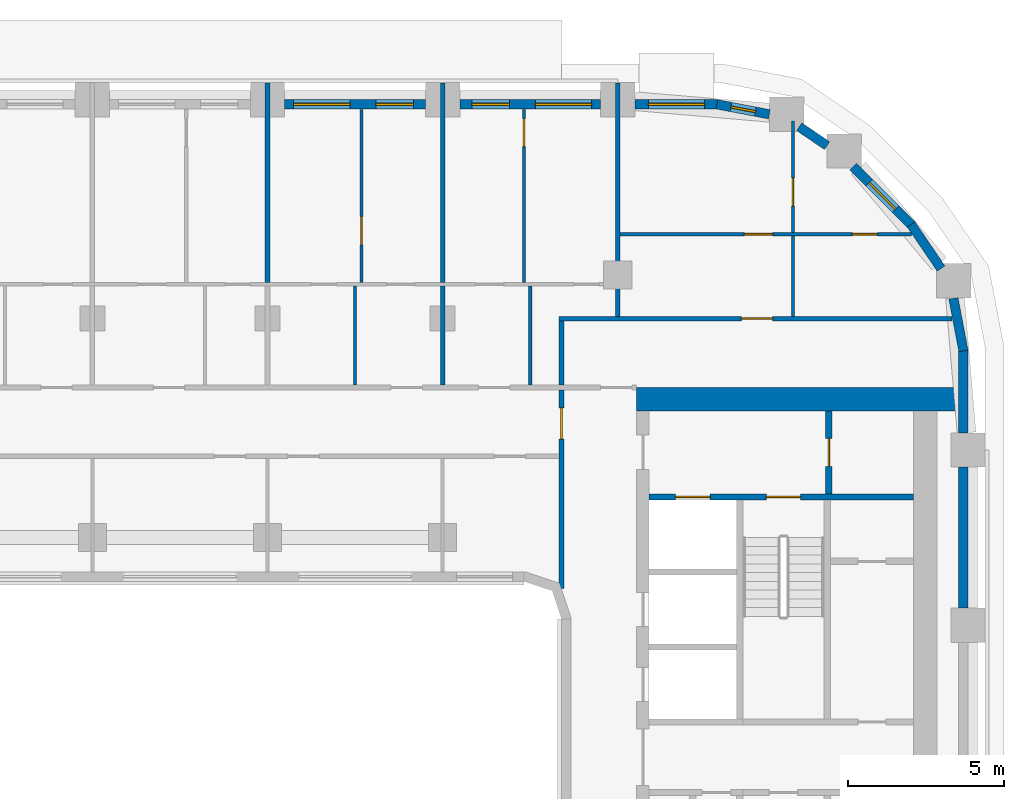
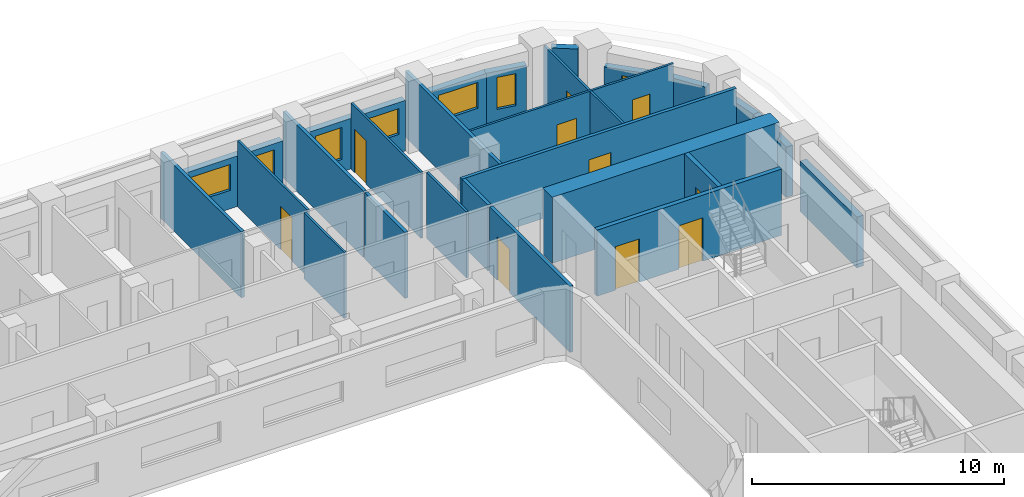
# One storey, part 9 of 22: 27 walls, 10 doors, 7 windows, 17 openings.
"""IFC4 building model written with IfcOpenShell, lengths in metres."""

from ifc_helpers import new_model, si_unit, direction, frame, frame_2d, origin, place, context, subcontext, project, spatial, rectangle, extrude, material, layer, layer_set, type_object, element, fill, save


model = new_model("IFC4")

# Units and contexts
model_context = context("Model", 3, precision=1e-05, world=origin(), true_north=direction((0.0, 1.0)))
body_context = subcontext(model_context, "Body", "Model", "MODEL_VIEW")
ifc_project = project(units=[si_unit("LENGTHUNIT", "METRE"), si_unit("AREAUNIT", "SQUARE_METRE"), si_unit("VOLUMEUNIT", "CUBIC_METRE"), si_unit("PLANEANGLEUNIT", "RADIAN"), si_unit("MASSUNIT", "GRAM", prefix="KILO")], contexts=[model_context])

# Site, building, storey
site_placement = place(None, origin())
site = spatial("IfcSite", under=ifc_project, at=site_placement, CompositionType="ELEMENT")
building_placement = place(site_placement, origin())
building = spatial("IfcBuilding", under=site, at=building_placement, Name="Kiln Ring Residences", CompositionType="ELEMENT")
storey_placement = place(building_placement, frame((0.0, 0.0, 143.10009765625)))
storey = spatial("IfcBuildingStorey", under=building, at=storey_placement, Name="L36", CompositionType="ELEMENT", Elevation=143.10009765625)

# Wall, opening, door
ifc_material_1 = material(Name="Gypsum board on steel studs", Category="steel")
ifc_layer_1 = layer(ifc_material_1, 0.199951171875)
ifc_layer_set_1 = layer_set([ifc_layer_1], Name="CORE-PARTITION-200")
wall_type_1 = type_object("IfcWallType", Name="CORE-PARTITION-200", PredefinedType="PARTITIONING", material=ifc_layer_set_1)
wall_1_placement = place(storey_placement, frame((23.550048828125, 9.800048828125, 0.0), z_axis=(0.0, 0.0, 1.0), x_axis=(0.0, 1.0, 0.0)))
wall_1 = element("IfcWall", 1, at=wall_1_placement, inside=storey, type_object=wall_type_1, Name="Core partition east L36 4", PredefinedType="PARTITIONING", context=body_context, shape_type="SweptSolid", body=[
    extrude(rectangle(XDim=2.64990234375, YDim=0.199951171875, at=frame_2d((1.324951171875, 0.0))), origin(), (0.0, 0.0, 1.0), 3.199951171875),
])
opening_1_placement = place(wall_1_placement, frame((0.875, 0.0, 0.0)))
opening_1 = element("IfcOpeningElement", 2, at=opening_1_placement, cuts=wall_1, Name="Opening L36-CE09", PredefinedType="OPENING", context=body_context, shape_type="SweptSolid", body=[
    extrude(rectangle(XDim=0.89990234375, YDim=2.10009765625, at=frame_2d((0.449951171875, 1.050048828125))), frame((0.0, 0.10986328125, 0.0), z_axis=(0.0, -1.0, 0.0), x_axis=(1.0, 0.0, 0.0)), (0.0, 0.0, 1.0), 0.219970703125),
])
ifc_material_2 = material(Name="Steel door leaf", Category="steel")
door_type_1 = type_object("IfcDoorType", Name="CORE-DOOR-ROOM", OperationType="SINGLE_SWING_LEFT", PredefinedType="DOOR", material=ifc_material_2)
door_1_placement = place(opening_1_placement, origin())
door_1 = element("IfcDoor", 3, at=door_1_placement, inside=storey, type_object=door_type_1, Name="Fire riser room L36-CE09", OperationType="SINGLE_SWING_RIGHT", OverallHeight=2.10009765625, OverallWidth=0.89990234375, PredefinedType="DOOR", context=body_context, shape_type="SweptSolid", body=[
    extrude(rectangle(XDim=0.89990234375, YDim=2.10009765625, at=frame_2d((0.449951171875, 1.050048828125))), frame((0.0, 0.02490234375, 0.0), z_axis=(0.0, -1.0, 0.0), x_axis=(1.0, 0.0, 0.0)), (0.0, 0.0, 1.0), 0.050048828125),
])
fill(opening_1, door_1)

# Wall, openings, doors
ifc_material_3 = material(Name="Concrete C40/50", Category="concrete")
ifc_layer_2 = layer(ifc_material_3, 0.199951171875)
ifc_layer_set_2 = layer_set([ifc_layer_2], Name="CORE-WALL-RC200")
wall_type_2 = type_object("IfcWallType", Name="CORE-WALL-RC200", PredefinedType="SHEAR", material=ifc_layer_set_2)
wall_2_placement = place(storey_placement, frame((17.800048828125, 9.699951171875, 0.0), z_axis=(0.0, 0.0, 1.0), x_axis=(1.0, 0.0, 0.0)))
wall_2 = element("IfcWall", 4, at=wall_2_placement, inside=storey, type_object=wall_type_2, Name="Core wall east L36 9", PredefinedType="SHEAR", context=body_context, shape_type="SweptSolid", body=[
    extrude(rectangle(XDim=8.449951171875, YDim=0.199951171875, at=frame_2d((4.22509765625, 0.0))), origin(), (0.0, 0.0, 1.0), 3.199951171875),
])
opening_2_placement = place(wall_2_placement, frame((0.85009765625, 0.0, 0.0)))
opening_2 = element("IfcOpeningElement", 5, at=opening_2_placement, cuts=wall_2, Name="Opening L36-CE06", PredefinedType="OPENING", context=body_context, shape_type="SweptSolid", body=[
    extrude(rectangle(XDim=1.10009765625, YDim=2.10009765625, at=frame_2d((0.550048828125, 1.050048828125))), frame((0.0, 0.10986328125, 0.0), z_axis=(0.0, -1.0, 0.0), x_axis=(1.0, 0.0, 0.0)), (0.0, 0.0, 1.0), 0.219970703125),
])
opening_3_placement = place(wall_2_placement, frame((3.75, 0.0, 0.0)))
opening_3 = element("IfcOpeningElement", 6, at=opening_3_placement, cuts=wall_2, Name="Opening L36-CE11", PredefinedType="OPENING", context=body_context, shape_type="SweptSolid", body=[
    extrude(rectangle(XDim=1.10009765625, YDim=2.10009765625, at=frame_2d((0.550048828125, 1.050048828125))), frame((0.0, 0.10986328125, 0.0), z_axis=(0.0, -1.0, 0.0), x_axis=(1.0, 0.0, 0.0)), (0.0, 0.0, 1.0), 0.219970703125),
])
ifc_material_4 = material(Name="Steel door leaf", Category="steel")
door_type_2 = type_object("IfcDoorType", Name="CORE-DOOR-LD", OperationType="DOUBLE_DOOR_SLIDING", PredefinedType="DOOR", material=ifc_material_4)
door_2_placement = place(opening_2_placement, origin())
door_2 = element("IfcDoor", 7, at=door_2_placement, inside=storey, type_object=door_type_2, Name="LD E-FF L36-CE06", OperationType="DOUBLE_DOOR_SLIDING", OverallHeight=2.10009765625, OverallWidth=1.10009765625, PredefinedType="DOOR", context=body_context, shape_type="SweptSolid", body=[
    extrude(rectangle(XDim=1.10009765625, YDim=2.10009765625, at=frame_2d((0.550048828125, 1.050048828125))), frame((0.0, 0.02490234375, 0.0), z_axis=(0.0, -1.0, 0.0), x_axis=(1.0, 0.0, 0.0)), (0.0, 0.0, 1.0), 0.050048828125),
])
fill(opening_2, door_2)
ifc_material_5 = material(Name="Steel door leaf", Category="steel")
door_type_3 = type_object("IfcDoorType", Name="CORE-DOOR-STAIR", OperationType="SINGLE_SWING_LEFT", PredefinedType="DOOR", material=ifc_material_5)
door_3_placement = place(opening_3_placement, origin())
door_3 = element("IfcDoor", 8, at=door_3_placement, inside=storey, type_object=door_type_3, Name="Stair E-STN L36-CE11", OperationType="SINGLE_SWING_RIGHT", OverallHeight=2.10009765625, OverallWidth=1.10009765625, PredefinedType="DOOR", context=body_context, shape_type="SweptSolid", body=[
    extrude(rectangle(XDim=1.10009765625, YDim=2.10009765625, at=frame_2d((0.550048828125, 1.050048828125))), frame((0.0, 0.02490234375, 0.0), z_axis=(0.0, -1.0, 0.0), x_axis=(1.0, 0.0, 0.0)), (0.0, 0.0, 1.0), 0.050048828125),
])
fill(opening_3, door_3)

# Walls
ifc_material_6 = material(Name="Concrete C60/75", Category="concrete")
ifc_layer_3 = layer(ifc_material_6, 0.75)
ifc_layer_set_3 = layer_set([ifc_layer_3], Name="CORE-WALL-RC750")
wall_type_3 = type_object("IfcWallType", Name="CORE-WALL-RC750", PredefinedType="SHEAR", material=ifc_layer_set_3)
wall_3_placement = place(storey_placement, frame((17.39990234375, 12.824951171875, 0.0), z_axis=(0.0, 0.0, 1.0), x_axis=(1.0, 0.0, 0.0)))
element("IfcWall", 9, at=wall_3_placement, inside=storey, type_object=wall_type_3, Name="Core wall east L36 4", PredefinedType="SHEAR", context=body_context, shape_type="SweptSolid", body=[
    extrude(rectangle(XDim=10.400146484375, YDim=0.75, at=frame_2d((5.2001953125, 0.0))), origin(), (0.0, 0.0, 1.0), 3.199951171875),
])
ifc_material_7 = material(Name="Brick masonry, dark clay brick", Category="masonry")
ifc_layer_4 = layer(ifc_material_7, 0.300048828125)
ifc_layer_set_4 = layer_set([ifc_layer_4], Name="EW-300 BRICK WALL")
wall_type_4 = type_object("IfcWallType", Name="EW-300 BRICK WALL", PredefinedType="SOLIDWALL", material=ifc_layer_set_4)
wall_4_placement = place(storey_placement, frame((27.85009765625, 6.14990234375, 0.0), z_axis=(0.0, 0.0, 1.0), x_axis=(0.0, 1.0, 0.0)))
element("IfcWall", 10, at=wall_4_placement, inside=storey, type_object=wall_type_4, Name="Facade wall L36 21", PredefinedType="SOLIDWALL", context=body_context, shape_type="SweptSolid", body=[
    extrude(rectangle(XDim=4.5, YDim=0.300048828125, at=frame_2d((2.25, 0.0))), origin(), (0.0, 0.0, 1.0), 2.449951171875),
])
wall_5_placement = place(storey_placement, frame((27.85009765625, 11.75, 0.0), z_axis=(0.0, 0.0, 1.0), x_axis=(0.0, 1.0, 0.0)))
element("IfcWall", 11, at=wall_5_placement, inside=storey, type_object=wall_type_4, Name="Facade wall L36 22", PredefinedType="SOLIDWALL", context=body_context, shape_type="SweptSolid", body=[
    extrude(rectangle(XDim=2.64990234375, YDim=0.300048828125, at=frame_2d((1.324951171875, 0.0))), origin(), (0.0, 0.0, 1.0), 2.449951171875),
])
wall_6_placement = place(storey_placement, frame((27.8525390625, 14.371826171875, 0.0), z_axis=(0.0, 0.0, 1.0), x_axis=(-0.187302784601, 0.982302227871, 0.0)))
element("IfcWall", 12, at=wall_6_placement, inside=storey, type_object=wall_type_4, Name="Facade wall L36 23", PredefinedType="SOLIDWALL", context=body_context, shape_type="SweptSolid", body=[
    extrude(rectangle(XDim=1.706298828125, YDim=0.300048828125, at=frame_2d((0.85302734375, 0.0))), origin(), (0.0, 0.0, 1.0), 2.449951171875),
])
wall_7_placement = place(storey_placement, frame((27.137939453125, 17.001708984375, 0.0), z_axis=(0.0, 0.0, 1.0), x_axis=(-0.562075160946, 0.827086158419, 0.0)))
element("IfcWall", 13, at=wall_7_placement, inside=storey, type_object=wall_type_4, Name="Facade wall L36 24", PredefinedType="SOLIDWALL", context=body_context, shape_type="SweptSolid", body=[
    extrude(rectangle(XDim=1.7060546875, YDim=0.300048828125, at=frame_2d((0.85302734375, 0.0))), origin(), (0.0, 0.0, 1.0), 2.449951171875),
])

# Wall, opening, window
wall_8_placement = place(storey_placement, frame((26.19677734375, 18.390869140625, 0.0), z_axis=(0.0, 0.0, 1.0), x_axis=(-0.707060717099, 0.707152842274, 0.0)))
wall_8 = element("IfcWall", 14, at=wall_8_placement, inside=storey, type_object=wall_type_4, Name="Facade wall L36 25", PredefinedType="SOLIDWALL", context=body_context, shape_type="SweptSolid", body=[
    extrude(rectangle(XDim=2.650146484375, YDim=0.300048828125, at=frame_2d((1.3251953125, 0.0))), origin(), (0.0, 0.0, 1.0), 2.449951171875),
])
opening_4_placement = place(wall_8_placement, frame((0.72509765625, 0.0, 0.60009765625)))
opening_4 = element("IfcOpeningElement", 15, at=opening_4_placement, cuts=wall_8, Name="Opening W1", PredefinedType="OPENING", context=body_context, shape_type="SweptSolid", body=[
    extrude(rectangle(XDim=1.199951171875, YDim=1.550048828125, at=frame_2d((0.60009765625, 0.77490234375))), frame((0.0, 0.159912109375, 0.0), z_axis=(0.0, -1.0, 0.0), x_axis=(1.0, 0.0, 0.0)), (0.0, 0.0, 1.0), 0.320068359375),
])
ifc_material_8 = material(Name="Aluminium frame with double glazing", Category="aluminium")
window_type_1 = type_object("IfcWindowType", Name="WINDOW 1200 x 1550", PartitioningType="SINGLE_PANEL", PredefinedType="WINDOW", material=ifc_material_8)
window_1_placement = place(opening_4_placement, origin())
window_1 = element("IfcWindow", 16, at=window_1_placement, inside=storey, type_object=window_type_1, Name="Window L36 16", OverallHeight=1.550048828125, OverallWidth=1.199951171875, PartitioningType="SINGLE_PANEL", PredefinedType="WINDOW", context=body_context, shape_type="SweptSolid", body=[
    extrude(rectangle(XDim=1.199951171875, YDim=1.550048828125, at=frame_2d((0.60009765625, 0.77490234375))), frame((0.0, 0.030029296875, 0.0), z_axis=(0.0, -1.0, 0.0), x_axis=(1.0, 0.0, 0.0)), (0.0, 0.0, 1.0), 0.06005859375),
])
fill(opening_4, window_1)

# Wall
wall_9_placement = place(storey_placement, frame((23.492431640625, 20.932373046875, 0.0), z_axis=(0.0, 0.0, 1.0), x_axis=(-0.826993959827, 0.562210806023, 0.0)))
element("IfcWall", 17, at=wall_9_placement, inside=storey, type_object=wall_type_4, Name="Facade wall L36 26", PredefinedType="SOLIDWALL", context=body_context, shape_type="SweptSolid", body=[
    extrude(rectangle(XDim=1.076904296875, YDim=0.300048828125, at=frame_2d((0.53857421875, 0.0))), origin(), (0.0, 0.0, 1.0), 3.199951171875),
])

# Wall, opening, window
wall_10_placement = place(storey_placement, frame((21.647705078125, 21.93310546875, 0.0), z_axis=(0.0, 0.0, 1.0), x_axis=(-0.982297206936, 0.187329114784, 0.0)))
wall_10 = element("IfcWall", 18, at=wall_10_placement, inside=storey, type_object=wall_type_4, Name="Facade wall L36 27", PredefinedType="SOLIDWALL", context=body_context, shape_type="SweptSolid", body=[
    extrude(rectangle(XDim=1.7060546875, YDim=0.300048828125, at=frame_2d((0.85302734375, 0.0))), origin(), (0.0, 0.0, 1.0), 2.449951171875),
])
opening_5_placement = place(wall_10_placement, frame((0.453125, 0.0, 0.60009765625)))
opening_5 = element("IfcOpeningElement", 19, at=opening_5_placement, cuts=wall_10, Name="Opening W5", PredefinedType="OPENING", context=body_context, shape_type="SweptSolid", body=[
    extrude(rectangle(XDim=0.800048828125, YDim=1.550048828125, at=frame_2d((0.39990234375, 0.77490234375))), frame((0.0, 0.159912109375, 0.0), z_axis=(0.0, -1.0, 0.0), x_axis=(1.0, 0.0, 0.0)), (0.0, 0.0, 1.0), 0.320068359375),
])
ifc_material_9 = material(Name="Aluminium frame with double glazing", Category="aluminium")
window_type_2 = type_object("IfcWindowType", Name="WINDOW 800 x 1550", PartitioningType="SINGLE_PANEL", PredefinedType="WINDOW", material=ifc_material_9)
window_2_placement = place(opening_5_placement, origin())
window_2 = element("IfcWindow", 20, at=window_2_placement, inside=storey, type_object=window_type_2, Name="Window L36 17", OverallHeight=1.550048828125, OverallWidth=0.800048828125, PartitioningType="SINGLE_PANEL", PredefinedType="WINDOW", context=body_context, shape_type="SweptSolid", body=[
    extrude(rectangle(XDim=0.800048828125, YDim=1.550048828125, at=frame_2d((0.39990234375, 0.77490234375))), frame((0.0, 0.030029296875, 0.0), z_axis=(0.0, -1.0, 0.0), x_axis=(1.0, 0.0, 0.0)), (0.0, 0.0, 1.0), 0.06005859375),
])
fill(opening_5, window_2)

wall_11_placement = place(storey_placement, frame((20.0, 22.25, 0.0), z_axis=(0.0, 0.0, 1.0), x_axis=(-1.0, 0.0, 0.0)))
wall_11 = element("IfcWall", 21, at=wall_11_placement, inside=storey, type_object=wall_type_4, Name="Facade wall L36 28", PredefinedType="SOLIDWALL", context=body_context, shape_type="SweptSolid", body=[
    extrude(rectangle(XDim=2.64990234375, YDim=0.300048828125, at=frame_2d((1.324951171875, 0.0))), origin(), (0.0, 0.0, 1.0), 2.449951171875),
])
opening_6_placement = place(wall_11_placement, frame((0.425048828125, 0.0, 0.89990234375)))
opening_6 = element("IfcOpeningElement", 22, at=opening_6_placement, cuts=wall_11, Name="Opening W2", PredefinedType="OPENING", context=body_context, shape_type="SweptSolid", body=[
    extrude(rectangle(XDim=1.800048828125, YDim=1.25, at=frame_2d((0.89990234375, 0.625))), frame((0.0, 0.159912109375, 0.0), z_axis=(0.0, -1.0, 0.0), x_axis=(1.0, 0.0, 0.0)), (0.0, 0.0, 1.0), 0.320068359375),
])
ifc_material_10 = material(Name="Aluminium frame with double glazing", Category="aluminium")
window_type_3 = type_object("IfcWindowType", Name="WINDOW 1800 x 1250", PartitioningType="SINGLE_PANEL", PredefinedType="WINDOW", material=ifc_material_10)
window_3_placement = place(opening_6_placement, origin())
window_3 = element("IfcWindow", 23, at=window_3_placement, inside=storey, type_object=window_type_3, Name="Window L36 18", OverallHeight=1.25, OverallWidth=1.800048828125, PartitioningType="SINGLE_PANEL", PredefinedType="WINDOW", context=body_context, shape_type="SweptSolid", body=[
    extrude(rectangle(XDim=1.800048828125, YDim=1.25, at=frame_2d((0.89990234375, 0.625))), frame((0.0, 0.030029296875, 0.0), z_axis=(0.0, -1.0, 0.0), x_axis=(1.0, 0.0, 0.0)), (0.0, 0.0, 1.0), 0.06005859375),
])
fill(opening_6, window_3)

# Wall, openings, windows
wall_12_placement = place(storey_placement, frame((16.25, 22.25, 0.0), z_axis=(0.0, 0.0, 1.0), x_axis=(-1.0, 0.0, 0.0)))
wall_12 = element("IfcWall", 24, at=wall_12_placement, inside=storey, type_object=wall_type_4, Name="Facade wall L36 29", PredefinedType="SOLIDWALL", context=body_context, shape_type="SweptSolid", body=[
    extrude(rectangle(XDim=4.5, YDim=0.300048828125, at=frame_2d((2.25, 0.0))), origin(), (0.0, 0.0, 1.0), 2.449951171875),
])
opening_7_placement = place(wall_12_placement, frame((0.28759765625, 0.0, 0.89990234375)))
opening_7 = element("IfcOpeningElement", 25, at=opening_7_placement, cuts=wall_12, Name="Opening W2", PredefinedType="OPENING", context=body_context, shape_type="SweptSolid", body=[
    extrude(rectangle(XDim=1.800048828125, YDim=1.25, at=frame_2d((0.89990234375, 0.625))), frame((0.0, 0.159912109375, 0.0), z_axis=(0.0, -1.0, 0.0), x_axis=(1.0, 0.0, 0.0)), (0.0, 0.0, 1.0), 0.320068359375),
])
opening_8_placement = place(wall_12_placement, frame((2.91259765625, 0.0, 0.60009765625)))
opening_8 = element("IfcOpeningElement", 26, at=opening_8_placement, cuts=wall_12, Name="Opening W1", PredefinedType="OPENING", context=body_context, shape_type="SweptSolid", body=[
    extrude(rectangle(XDim=1.199951171875, YDim=1.550048828125, at=frame_2d((0.60009765625, 0.77490234375))), frame((0.0, 0.159912109375, 0.0), z_axis=(0.0, -1.0, 0.0), x_axis=(1.0, 0.0, 0.0)), (0.0, 0.0, 1.0), 0.320068359375),
])
window_4_placement = place(opening_8_placement, origin())
window_4 = element("IfcWindow", 27, at=window_4_placement, inside=storey, type_object=window_type_1, Name="Window L36 20", OverallHeight=1.550048828125, OverallWidth=1.199951171875, PartitioningType="SINGLE_PANEL", PredefinedType="WINDOW", context=body_context, shape_type="SweptSolid", body=[
    extrude(rectangle(XDim=1.199951171875, YDim=1.550048828125, at=frame_2d((0.60009765625, 0.77490234375))), frame((0.0, 0.030029296875, 0.0), z_axis=(0.0, -1.0, 0.0), x_axis=(1.0, 0.0, 0.0)), (0.0, 0.0, 1.0), 0.06005859375),
])
fill(opening_8, window_4)
window_5_placement = place(opening_7_placement, origin())
window_5 = element("IfcWindow", 28, at=window_5_placement, inside=storey, type_object=window_type_3, Name="Window L36 19", OverallHeight=1.25, OverallWidth=1.800048828125, PartitioningType="SINGLE_PANEL", PredefinedType="WINDOW", context=body_context, shape_type="SweptSolid", body=[
    extrude(rectangle(XDim=1.800048828125, YDim=1.25, at=frame_2d((0.89990234375, 0.625))), frame((0.0, 0.030029296875, 0.0), z_axis=(0.0, -1.0, 0.0), x_axis=(1.0, 0.0, 0.0)), (0.0, 0.0, 1.0), 0.06005859375),
])
fill(opening_7, window_5)

wall_13_placement = place(storey_placement, frame((10.64990234375, 22.25, 0.0), z_axis=(0.0, 0.0, 1.0), x_axis=(-1.0, 0.0, 0.0)))
wall_13 = element("IfcWall", 29, at=wall_13_placement, inside=storey, type_object=wall_type_4, Name="Facade wall L36 30", PredefinedType="SOLIDWALL", context=body_context, shape_type="SweptSolid", body=[
    extrude(rectangle(XDim=4.5, YDim=0.300048828125, at=frame_2d((2.25, 0.0))), origin(), (0.0, 0.0, 1.0), 2.449951171875),
])
opening_9_placement = place(wall_13_placement, frame((0.387451171875, 0.0, 0.60009765625)))
opening_9 = element("IfcOpeningElement", 30, at=opening_9_placement, cuts=wall_13, Name="Opening W1", PredefinedType="OPENING", context=body_context, shape_type="SweptSolid", body=[
    extrude(rectangle(XDim=1.199951171875, YDim=1.550048828125, at=frame_2d((0.60009765625, 0.77490234375))), frame((0.0, 0.159912109375, 0.0), z_axis=(0.0, -1.0, 0.0), x_axis=(1.0, 0.0, 0.0)), (0.0, 0.0, 1.0), 0.320068359375),
])
opening_10_placement = place(wall_13_placement, frame((2.41259765625, 0.0, 0.89990234375)))
opening_10 = element("IfcOpeningElement", 31, at=opening_10_placement, cuts=wall_13, Name="Opening W2", PredefinedType="OPENING", context=body_context, shape_type="SweptSolid", body=[
    extrude(rectangle(XDim=1.800048828125, YDim=1.25, at=frame_2d((0.89990234375, 0.625))), frame((0.0, 0.159912109375, 0.0), z_axis=(0.0, -1.0, 0.0), x_axis=(1.0, 0.0, 0.0)), (0.0, 0.0, 1.0), 0.320068359375),
])
window_6_placement = place(opening_9_placement, origin())
window_6 = element("IfcWindow", 32, at=window_6_placement, inside=storey, type_object=window_type_1, Name="Window L36 21", OverallHeight=1.550048828125, OverallWidth=1.199951171875, PartitioningType="SINGLE_PANEL", PredefinedType="WINDOW", context=body_context, shape_type="SweptSolid", body=[
    extrude(rectangle(XDim=1.199951171875, YDim=1.550048828125, at=frame_2d((0.60009765625, 0.77490234375))), frame((0.0, 0.030029296875, 0.0), z_axis=(0.0, -1.0, 0.0), x_axis=(1.0, 0.0, 0.0)), (0.0, 0.0, 1.0), 0.06005859375),
])
fill(opening_9, window_6)
window_7_placement = place(opening_10_placement, origin())
window_7 = element("IfcWindow", 33, at=window_7_placement, inside=storey, type_object=window_type_3, Name="Window L36 22", OverallHeight=1.25, OverallWidth=1.800048828125, PartitioningType="SINGLE_PANEL", PredefinedType="WINDOW", context=body_context, shape_type="SweptSolid", body=[
    extrude(rectangle(XDim=1.800048828125, YDim=1.25, at=frame_2d((0.89990234375, 0.625))), frame((0.0, 0.030029296875, 0.0), z_axis=(0.0, -1.0, 0.0), x_axis=(1.0, 0.0, 0.0)), (0.0, 0.0, 1.0), 0.06005859375),
])
fill(opening_10, window_7)

# Wall, openings, doors
ifc_material_11 = material(Name="Gypsum board on steel studs", Category="steel")
ifc_layer_5 = layer(ifc_material_11, 0.10009765625)
ifc_layer_set_5 = layer_set([ifc_layer_5], Name="PARTITION-100")
wall_type_5 = type_object("IfcWallType", Name="PARTITION-100", PredefinedType="PARTITIONING", material=ifc_layer_set_5)
wall_14_placement = place(storey_placement, frame((16.875, 18.10009765625, 0.0), z_axis=(0.0, 0.0, 1.0), x_axis=(1.0, 0.0, 0.0)))
wall_14 = element("IfcWall", 34, at=wall_14_placement, inside=storey, type_object=wall_type_5, Name="Partition 013", PredefinedType="PARTITIONING", context=body_context, shape_type="SweptSolid", body=[
    extrude(rectangle(XDim=9.315185546875, YDim=0.10009765625, at=frame_2d((4.65771484375, 0.0))), origin(), (0.0, 0.0, 1.0), 3.199951171875),
])
opening_11_placement = place(wall_14_placement, frame((7.425048828125, 0.0, 0.0)))
opening_11 = element("IfcOpeningElement", 35, at=opening_11_placement, cuts=wall_14, Name="Opening L36-D036", PredefinedType="OPENING", context=body_context, shape_type="SweptSolid", body=[
    extrude(rectangle(XDim=0.800048828125, YDim=2.10009765625, at=frame_2d((0.39990234375, 1.050048828125))), frame((0.0, 0.06005859375, 0.0), z_axis=(0.0, -1.0, 0.0), x_axis=(1.0, 0.0, 0.0)), (0.0, 0.0, 1.0), 0.1201171875),
])
opening_12_placement = place(wall_14_placement, frame((3.97509765625, 0.0, 0.0)))
opening_12 = element("IfcOpeningElement", 36, at=opening_12_placement, cuts=wall_14, Name="Opening L36-D037", PredefinedType="OPENING", context=body_context, shape_type="SweptSolid", body=[
    extrude(rectangle(XDim=0.89990234375, YDim=2.10009765625, at=frame_2d((0.449951171875, 1.050048828125))), frame((0.0, 0.06005859375, 0.0), z_axis=(0.0, -1.0, 0.0), x_axis=(1.0, 0.0, 0.0)), (0.0, 0.0, 1.0), 0.1201171875),
])
ifc_material_12 = material(Name="Timber door leaf", Category="wood")
door_type_4 = type_object("IfcDoorType", Name="FLAT-DOOR-800-PL", OperationType="SINGLE_SWING_LEFT", PredefinedType="DOOR", material=ifc_material_12)
door_4_placement = place(opening_11_placement, origin())
door_4 = element("IfcDoor", 37, at=door_4_placement, inside=storey, type_object=door_type_4, Name="Door L36-D036", OperationType="SINGLE_SWING_RIGHT", OverallHeight=2.10009765625, OverallWidth=0.800048828125, PredefinedType="DOOR", context=body_context, shape_type="SweptSolid", body=[
    extrude(rectangle(XDim=0.800048828125, YDim=2.10009765625, at=frame_2d((0.39990234375, 1.050048828125))), frame((0.0, 0.02490234375, 0.0), z_axis=(0.0, -1.0, 0.0), x_axis=(1.0, 0.0, 0.0)), (0.0, 0.0, 1.0), 0.050048828125),
])
fill(opening_11, door_4)
ifc_material_13 = material(Name="Timber door leaf", Category="wood")
door_type_5 = type_object("IfcDoorType", Name="FLAT-DOOR-900-PL", OperationType="SINGLE_SWING_LEFT", PredefinedType="DOOR", material=ifc_material_13)
door_5_placement = place(opening_12_placement, origin())
door_5 = element("IfcDoor", 38, at=door_5_placement, inside=storey, type_object=door_type_5, Name="Door L36-D037", OperationType="SINGLE_SWING_LEFT", OverallHeight=2.10009765625, OverallWidth=0.89990234375, PredefinedType="DOOR", context=body_context, shape_type="SweptSolid", body=[
    extrude(rectangle(XDim=0.89990234375, YDim=2.10009765625, at=frame_2d((0.449951171875, 1.050048828125))), frame((0.0, 0.02490234375, 0.0), z_axis=(0.0, -1.0, 0.0), x_axis=(1.0, 0.0, 0.0)), (0.0, 0.0, 1.0), 0.050048828125),
])
fill(opening_12, door_5)

# Wall
wall_15_placement = place(storey_placement, frame((8.39990234375, 13.27490234375, 0.0), z_axis=(0.0, 0.0, 1.0), x_axis=(0.0, 1.0, 0.0)))
element("IfcWall", 39, at=wall_15_placement, inside=storey, type_object=wall_type_5, Name="Partition 055", PredefinedType="PARTITIONING", context=body_context, shape_type="SweptSolid", body=[
    extrude(rectangle(XDim=3.175048828125, YDim=0.10009765625, at=frame_2d((1.58740234375, 0.0))), origin(), (0.0, 0.0, 1.0), 3.199951171875),
])

# Wall, opening, door
wall_16_placement = place(storey_placement, frame((8.60009765625, 16.550048828125, 0.0), z_axis=(0.0, 0.0, 1.0), x_axis=(0.0, 1.0, 0.0)))
wall_16 = element("IfcWall", 40, at=wall_16_placement, inside=storey, type_object=wall_type_5, Name="Partition 057", PredefinedType="PARTITIONING", context=body_context, shape_type="SweptSolid", body=[
    extrude(rectangle(XDim=5.530029296875, YDim=0.10009765625, at=frame_2d((2.76513671875, 0.0))), origin(), (0.0, 0.0, 1.0), 3.199951171875),
])
opening_13_placement = place(wall_16_placement, frame((1.2099609375, 0.0, 0.0)))
opening_13 = element("IfcOpeningElement", 41, at=opening_13_placement, cuts=wall_16, Name="Opening L36-D030", PredefinedType="OPENING", context=body_context, shape_type="SweptSolid", body=[
    extrude(rectangle(XDim=0.89990234375, YDim=2.10009765625, at=frame_2d((0.449951171875, 1.050048828125))), frame((0.0, 0.06005859375, 0.0), z_axis=(0.0, -1.0, 0.0), x_axis=(1.0, 0.0, 0.0)), (0.0, 0.0, 1.0), 0.1201171875),
])
door_6_placement = place(opening_13_placement, origin())
door_6 = element("IfcDoor", 42, at=door_6_placement, inside=storey, type_object=door_type_5, Name="Door L36-D030", OperationType="SINGLE_SWING_RIGHT", OverallHeight=2.10009765625, OverallWidth=0.89990234375, PredefinedType="DOOR", context=body_context, shape_type="SweptSolid", body=[
    extrude(rectangle(XDim=0.89990234375, YDim=2.10009765625, at=frame_2d((0.449951171875, 1.050048828125))), frame((0.0, 0.02490234375, 0.0), z_axis=(0.0, -1.0, 0.0), x_axis=(1.0, 0.0, 0.0)), (0.0, 0.0, 1.0), 0.050048828125),
])
fill(opening_13, door_6)

wall_17_placement = place(storey_placement, frame((13.800048828125, 16.550048828125, 0.0), z_axis=(0.0, 0.0, 1.0), x_axis=(0.0, 1.0, 0.0)))
wall_17 = element("IfcWall", 43, at=wall_17_placement, inside=storey, type_object=wall_type_5, Name="Partition 064", PredefinedType="PARTITIONING", context=body_context, shape_type="SweptSolid", body=[
    extrude(rectangle(XDim=5.530029296875, YDim=0.10009765625, at=frame_2d((2.76513671875, 0.0))), origin(), (0.0, 0.0, 1.0), 3.199951171875),
])
opening_14_placement = place(wall_17_placement, frame((4.35009765625, 0.0, 0.0)))
opening_14 = element("IfcOpeningElement", 44, at=opening_14_placement, cuts=wall_17, Name="Opening L36-D034", PredefinedType="OPENING", context=body_context, shape_type="SweptSolid", body=[
    extrude(rectangle(XDim=0.89990234375, YDim=2.10009765625, at=frame_2d((0.449951171875, 1.050048828125))), frame((0.0, 0.06005859375, 0.0), z_axis=(0.0, -1.0, 0.0), x_axis=(1.0, 0.0, 0.0)), (0.0, 0.0, 1.0), 0.1201171875),
])
door_7_placement = place(opening_14_placement, origin())
door_7 = element("IfcDoor", 45, at=door_7_placement, inside=storey, type_object=door_type_5, Name="Door L36-D034", OperationType="SINGLE_SWING_RIGHT", OverallHeight=2.10009765625, OverallWidth=0.89990234375, PredefinedType="DOOR", context=body_context, shape_type="SweptSolid", body=[
    extrude(rectangle(XDim=0.89990234375, YDim=2.10009765625, at=frame_2d((0.449951171875, 1.050048828125))), frame((0.0, 0.02490234375, 0.0), z_axis=(0.0, -1.0, 0.0), x_axis=(1.0, 0.0, 0.0)), (0.0, 0.0, 1.0), 0.050048828125),
])
fill(opening_14, door_7)

# Walls
wall_18_placement = place(storey_placement, frame((14.0, 13.27490234375, 0.0), z_axis=(0.0, 0.0, 1.0), x_axis=(0.0, 1.0, 0.0)))
element("IfcWall", 46, at=wall_18_placement, inside=storey, type_object=wall_type_5, Name="Partition 065", PredefinedType="PARTITIONING", context=body_context, shape_type="SweptSolid", body=[
    extrude(rectangle(XDim=3.175048828125, YDim=0.10009765625, at=frame_2d((1.58740234375, 0.0))), origin(), (0.0, 0.0, 1.0), 3.199951171875),
])
wall_19_placement = place(storey_placement, frame((22.39990234375, 15.47509765625, 0.0), z_axis=(0.0, 0.0, 1.0), x_axis=(0.0, 1.0, 0.0)))
element("IfcWall", 47, at=wall_19_placement, inside=storey, type_object=wall_type_5, Name="Partition 075", PredefinedType="PARTITIONING", context=body_context, shape_type="SweptSolid", body=[
    extrude(rectangle(XDim=2.574951171875, YDim=0.10009765625, at=frame_2d((1.28759765625, 0.0))), origin(), (0.0, 0.0, 1.0), 3.199951171875),
])

# Wall, opening, door
wall_20_placement = place(storey_placement, frame((22.39990234375, 18.14990234375, 0.0), z_axis=(0.0, 0.0, 1.0), x_axis=(0.0, 1.0, 0.0)))
wall_20 = element("IfcWall", 48, at=wall_20_placement, inside=storey, type_object=wall_type_5, Name="Partition 076", PredefinedType="PARTITIONING", context=body_context, shape_type="SweptSolid", body=[
    extrude(rectangle(XDim=3.570068359375, YDim=0.10009765625, at=frame_2d((1.78515625, 0.0))), origin(), (0.0, 0.0, 1.0), 3.199951171875),
])
opening_15_placement = place(wall_20_placement, frame((0.85009765625, 0.0, 0.0)))
opening_15 = element("IfcOpeningElement", 49, at=opening_15_placement, cuts=wall_20, Name="Opening L36-D038", PredefinedType="OPENING", context=body_context, shape_type="SweptSolid", body=[
    extrude(rectangle(XDim=0.89990234375, YDim=2.10009765625, at=frame_2d((0.449951171875, 1.050048828125))), frame((0.0, 0.06005859375, 0.0), z_axis=(0.0, -1.0, 0.0), x_axis=(1.0, 0.0, 0.0)), (0.0, 0.0, 1.0), 0.1201171875),
])
door_8_placement = place(opening_15_placement, origin())
door_8 = element("IfcDoor", 50, at=door_8_placement, inside=storey, type_object=door_type_5, Name="Door L36-D038", OperationType="SINGLE_SWING_LEFT", OverallHeight=2.10009765625, OverallWidth=0.89990234375, PredefinedType="DOOR", context=body_context, shape_type="SweptSolid", body=[
    extrude(rectangle(XDim=0.89990234375, YDim=2.10009765625, at=frame_2d((0.449951171875, 1.050048828125))), frame((0.0, 0.02490234375, 0.0), z_axis=(0.0, -1.0, 0.0), x_axis=(1.0, 0.0, 0.0)), (0.0, 0.0, 1.0), 0.050048828125),
])
fill(opening_15, door_8)

ifc_material_14 = material(Name="Brick masonry partition", Category="masonry")
ifc_layer_6 = layer(ifc_material_14, 0.14990234375)
ifc_layer_set_6 = layer_set([ifc_layer_6], Name="PARTITION-150-ei60")
wall_type_6 = type_object("IfcWallType", Name="PARTITION-150-ei60", PredefinedType="PARTITIONING", material=ifc_layer_set_6)
wall_21_placement = place(storey_placement, frame((14.925048828125, 15.39990234375, 0.0), z_axis=(0.0, 0.0, 1.0), x_axis=(1.0, 0.0, 0.0)))
wall_21 = element("IfcWall", 51, at=wall_21_placement, inside=storey, type_object=wall_type_6, Name="Partition 010", PredefinedType="PARTITIONING", context=body_context, shape_type="SweptSolid", body=[
    extrude(rectangle(XDim=12.558837890625, YDim=0.14990234375, at=frame_2d((6.279296875, 0.0))), origin(), (0.0, 0.0, 1.0), 3.199951171875),
])
opening_16_placement = place(wall_21_placement, frame((5.824951171875, 0.0, 0.0)))
opening_16 = element("IfcOpeningElement", 52, at=opening_16_placement, cuts=wall_21, Name="Opening L36-D035", PredefinedType="OPENING", context=body_context, shape_type="SweptSolid", body=[
    extrude(rectangle(XDim=1.0, YDim=2.10009765625, at=frame_2d((0.5, 1.050048828125))), frame((0.0, 0.0849609375, 0.0), z_axis=(0.0, -1.0, 0.0), x_axis=(1.0, 0.0, 0.0)), (0.0, 0.0, 1.0), 0.169921875),
])
ifc_material_15 = material(Name="Steel faced fire door leaf", Category="steel")
door_type_6 = type_object("IfcDoorType", Name="FLAT-DOOR-1000-FR", OperationType="SINGLE_SWING_LEFT", PredefinedType="DOOR", material=ifc_material_15)
door_9_placement = place(opening_16_placement, origin())
door_9 = element("IfcDoor", 53, at=door_9_placement, inside=storey, type_object=door_type_6, Name="Door L36-D035", OperationType="SINGLE_SWING_LEFT", OverallHeight=2.10009765625, OverallWidth=1.0, PredefinedType="DOOR", context=body_context, shape_type="SweptSolid", body=[
    extrude(rectangle(XDim=1.0, YDim=2.10009765625, at=frame_2d((0.5, 1.050048828125))), frame((0.0, 0.02490234375, 0.0), z_axis=(0.0, -1.0, 0.0), x_axis=(1.0, 0.0, 0.0)), (0.0, 0.0, 1.0), 0.050048828125),
])
fill(opening_16, door_9)

# Walls
wall_22_placement = place(storey_placement, frame((5.60009765625, 16.550048828125, 0.0), z_axis=(0.0, 0.0, 1.0), x_axis=(0.0, 1.0, 0.0)))
element("IfcWall", 54, at=wall_22_placement, inside=storey, type_object=wall_type_6, Name="Partition 054", PredefinedType="PARTITIONING", context=body_context, shape_type="SweptSolid", body=[
    extrude(rectangle(XDim=6.3798828125, YDim=0.14990234375, at=frame_2d((3.18994140625, 0.0))), origin(), (0.0, 0.0, 1.0), 3.199951171875),
])
wall_23_placement = place(storey_placement, frame((11.199951171875, 13.27490234375, 0.0), z_axis=(0.0, 0.0, 1.0), x_axis=(0.0, 1.0, 0.0)))
element("IfcWall", 55, at=wall_23_placement, inside=storey, type_object=wall_type_6, Name="Partition 062", PredefinedType="PARTITIONING", context=body_context, shape_type="SweptSolid", body=[
    extrude(rectangle(XDim=3.175048828125, YDim=0.14990234375, at=frame_2d((1.58740234375, 0.0))), origin(), (0.0, 0.0, 1.0), 3.199951171875),
])
wall_24_placement = place(storey_placement, frame((11.199951171875, 16.550048828125, 0.0), z_axis=(0.0, 0.0, 1.0), x_axis=(0.0, 1.0, 0.0)))
element("IfcWall", 56, at=wall_24_placement, inside=storey, type_object=wall_type_6, Name="Partition 063", PredefinedType="PARTITIONING", context=body_context, shape_type="SweptSolid", body=[
    extrude(rectangle(XDim=6.3798828125, YDim=0.14990234375, at=frame_2d((3.18994140625, 0.0))), origin(), (0.0, 0.0, 1.0), 3.199951171875),
])

# Wall, opening, door
wall_25_placement = place(storey_placement, frame((15.0, 6.768798828125, 0.0), z_axis=(0.0, 0.0, 1.0), x_axis=(0.0, 1.0, 0.0)))
wall_25 = element("IfcWall", 57, at=wall_25_placement, inside=storey, type_object=wall_type_6, Name="Partition 069", PredefinedType="PARTITIONING", context=body_context, shape_type="SweptSolid", body=[
    extrude(rectangle(XDim=6.356201171875, YDim=0.14990234375, at=frame_2d((3.17822265625, 0.0))), origin(), (0.0, 0.0, 1.0), 3.199951171875),
])
opening_17_placement = place(wall_25_placement, frame((4.78125, 0.0, 0.0)))
opening_17 = element("IfcOpeningElement", 58, at=opening_17_placement, cuts=wall_25, Name="Opening L36-D002", PredefinedType="OPENING", context=body_context, shape_type="SweptSolid", body=[
    extrude(rectangle(XDim=1.0, YDim=2.10009765625, at=frame_2d((0.5, 1.050048828125))), frame((0.0, 0.0849609375, 0.0), z_axis=(0.0, -1.0, 0.0), x_axis=(1.0, 0.0, 0.0)), (0.0, 0.0, 1.0), 0.169921875),
])
door_10_placement = place(opening_17_placement, origin())
door_10 = element("IfcDoor", 59, at=door_10_placement, inside=storey, type_object=door_type_6, Name="Door L36-D002", OperationType="SINGLE_SWING_LEFT", OverallHeight=2.10009765625, OverallWidth=1.0, PredefinedType="DOOR", context=body_context, shape_type="SweptSolid", body=[
    extrude(rectangle(XDim=1.0, YDim=2.10009765625, at=frame_2d((0.5, 1.050048828125))), frame((0.0, 0.02490234375, 0.0), z_axis=(0.0, -1.0, 0.0), x_axis=(1.0, 0.0, 0.0)), (0.0, 0.0, 1.0), 0.050048828125),
])
fill(opening_17, door_10)

# Walls
wall_26_placement = place(storey_placement, frame((15.0, 13.27490234375, 0.0), z_axis=(0.0, 0.0, 1.0), x_axis=(0.0, 1.0, 0.0)))
element("IfcWall", 60, at=wall_26_placement, inside=storey, type_object=wall_type_6, Name="Partition 070", PredefinedType="PARTITIONING", context=body_context, shape_type="SweptSolid", body=[
    extrude(rectangle(XDim=2.050048828125, YDim=0.14990234375, at=frame_2d((1.02490234375, 0.0))), origin(), (0.0, 0.0, 1.0), 3.199951171875),
])
wall_27_placement = place(storey_placement, frame((16.800048828125, 15.47509765625, 0.0), z_axis=(0.0, 0.0, 1.0), x_axis=(0.0, 1.0, 0.0)))
element("IfcWall", 61, at=wall_27_placement, inside=storey, type_object=wall_type_6, Name="Partition 072", PredefinedType="PARTITIONING", context=body_context, shape_type="SweptSolid", body=[
    extrude(rectangle(XDim=7.454833984375, YDim=0.14990234375, at=frame_2d((3.7275390625, 0.0))), origin(), (0.0, 0.0, 1.0), 3.199951171875),
])

save(model, "model.ifc")
